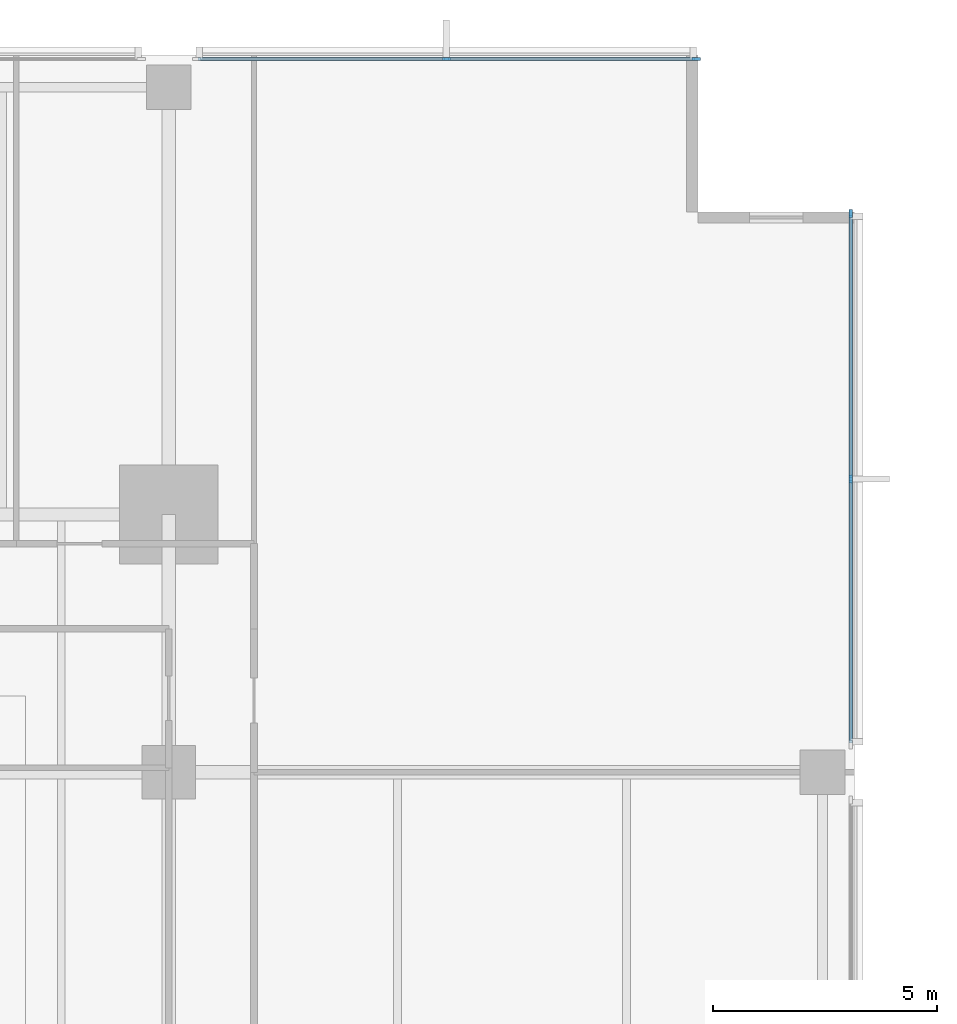
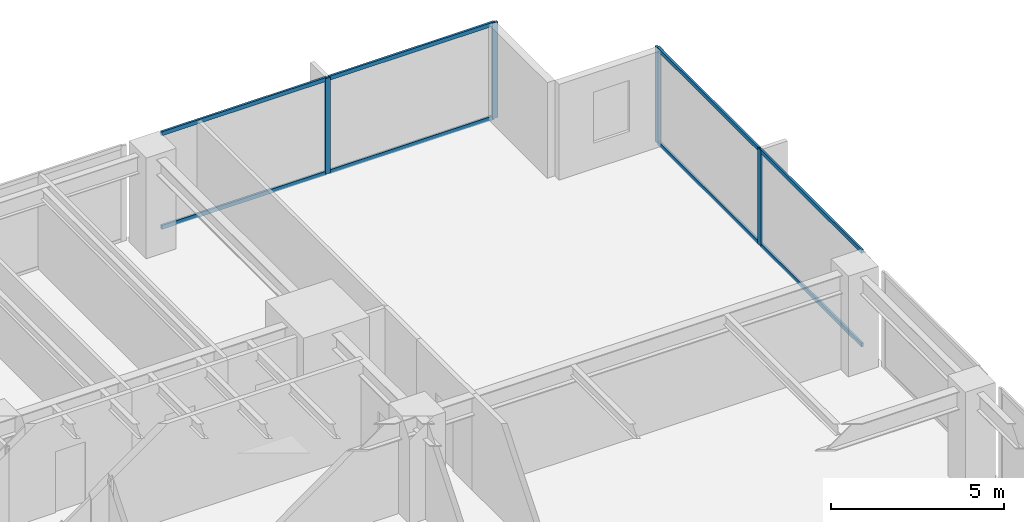
# One storey, part 6 of 15: 12 members, 2 elements without a shape of their own.
"""IFC4 building model written with IfcOpenShell, lengths in metres."""

from ifc_helpers import new_model, si_unit, direction, frame, origin, origin_2d, place, context, subcontext, project, spatial, rectangle, extrude, material, layer, layer_set, material_profile, profile_set, type_object, element, aggregate, save


model = new_model("IFC4")

# Units and contexts
model_context = context("Model", 3, precision=1e-05, world=origin(), true_north=direction((0.0, 1.0)))
body_context = subcontext(model_context, "Body", "Model", "MODEL_VIEW")
ifc_project = project(units=[si_unit("LENGTHUNIT", "METRE"), si_unit("AREAUNIT", "SQUARE_METRE"), si_unit("VOLUMEUNIT", "CUBIC_METRE"), si_unit("PLANEANGLEUNIT", "RADIAN"), si_unit("MASSUNIT", "GRAM", prefix="KILO")], contexts=[model_context])

# Site, building, storey
site_placement = place(None, origin())
site = spatial("IfcSite", under=ifc_project, at=site_placement, CompositionType="ELEMENT")
building_placement = place(site_placement, origin())
building = spatial("IfcBuilding", under=site, at=building_placement, Name="Kinhvarn Gate Tower", CompositionType="ELEMENT")
storey_placement = place(building_placement, frame((0.0, 0.0, 50.449951171875)))
storey = spatial("IfcBuildingStorey", under=building, at=storey_placement, Name="L12", CompositionType="ELEMENT", Elevation=50.449951171875)

# Curtain wall, members
ifc_material = material(Name="Anodised aluminium AW-6063", Category="aluminium")
ifc_layer = layer(ifc_material, 0.179931640625)
ifc_layer_set = layer_set([ifc_layer], Name="Anodised aluminium AW-6063")
curtain_wall_type = type_object("IfcCurtainWallType", Name="CW-SYS-2", PredefinedType="NOTDEFINED", material=ifc_layer_set)
curtain_wall_1_placement = place(storey_placement, origin())
curtain_wall_1 = element("IfcCurtainWall", 1, at=curtain_wall_1_placement, inside=storey, type_object=curtain_wall_type, Name="Curtain Wall CW2 (L12)", PredefinedType="NOTDEFINED")
ifc_material_profile_1 = material_profile(ifc_material, rectangle(XDim=0.070068359375, YDim=0.179931640625, at=origin_2d()), Name="ALU 70x180")
ifc_profile_set_1 = profile_set([ifc_material_profile_1], Name="Anodised aluminium AW-6063")
member_type_1 = type_object("IfcMemberType", Name="CW-MUL-180", PredefinedType="MULLION", material=ifc_profile_set_1)
member_1_placement = place(storey_placement, frame((49.965087890625, 47.909912109375, 0.0), z_axis=(0.0, 0.0, 1.0), x_axis=(0.0, -1.0, 0.0)))
member_1 = element("IfcMember", 2, at=member_1_placement, type_object=member_type_1, Name="CW2 mullion 1", PredefinedType="MULLION", context=body_context, shape_type="SweptSolid", body=[
    extrude(rectangle(XDim=0.070068359375, YDim=0.179931640625, at=origin_2d()), origin(), (0.0, 0.0, 1.0), 3.3701171875),
])
member_2_placement = place(storey_placement, frame((44.389892578125, 47.909912109375, 0.0), z_axis=(0.0, 0.0, 1.0), x_axis=(0.0, -1.0, 0.0)))
member_2 = element("IfcMember", 3, at=member_2_placement, type_object=member_type_1, Name="CW2 mullion 2", PredefinedType="MULLION", context=body_context, shape_type="SweptSolid", body=[
    extrude(rectangle(XDim=0.070068359375, YDim=0.179931640625, at=origin_2d()), origin(), (0.0, 0.0, 1.0), 3.3701171875),
])

curtain_wall_2_placement = place(storey_placement, origin())
curtain_wall_2 = element("IfcCurtainWall", 4, at=curtain_wall_2_placement, inside=storey, type_object=curtain_wall_type, Name="Curtain Wall CW2 (L12)", PredefinedType="NOTDEFINED")
member_3_placement = place(storey_placement, frame((53.409912109375, 38.5400390625, 0.0), z_axis=(0.0, 0.0, 1.0), x_axis=(-1.0, 0.0, 0.0)))
member_3 = element("IfcMember", 5, at=member_3_placement, type_object=member_type_1, Name="CW2 mullion 2", PredefinedType="MULLION", context=body_context, shape_type="SweptSolid", body=[
    extrude(rectangle(XDim=0.070068359375, YDim=0.179931640625, at=origin_2d()), origin(), (0.0, 0.0, 1.0), 3.3701171875),
])
member_4_placement = place(storey_placement, frame((53.409912109375, 44.465087890625, 0.0), z_axis=(0.0, 0.0, 1.0), x_axis=(-1.0, 0.0, 0.0)))
member_4 = element("IfcMember", 6, at=member_4_placement, type_object=member_type_1, Name="CW2 mullion 3", PredefinedType="MULLION", context=body_context, shape_type="SweptSolid", body=[
    extrude(rectangle(XDim=0.070068359375, YDim=0.179931640625, at=origin_2d()), origin(), (0.0, 0.0, 1.0), 3.3701171875),
])

# Member
ifc_material_profile_2 = material_profile(ifc_material, rectangle(XDim=0.070068359375, YDim=0.139892578125, at=origin_2d()), Name="ALU 70x140")
ifc_profile_set_2 = profile_set([ifc_material_profile_2], Name="Anodised aluminium AW-6063")
member_type_2 = type_object("IfcMemberType", Name="CW-TRN-140", PredefinedType="USERDEFINED", material=ifc_profile_set_2)
member_5_placement = place(storey_placement, frame((49.929931640625, 47.909912109375, 0.03515625), z_axis=(-1.0, 0.0, 0.0), x_axis=(0.0, -1.0, 0.0)))
member_5 = element("IfcMember", 7, at=member_5_placement, type_object=member_type_2, Name="CW2 transom 1.1", ObjectType="TRANSOM", PredefinedType="USERDEFINED", context=body_context, shape_type="SweptSolid", body=[
    extrude(rectangle(XDim=0.070068359375, YDim=0.139892578125, at=origin_2d()), origin(), (0.0, 0.0, 1.0), 5.5048828125),
])

member_6_placement = place(storey_placement, frame((49.929931640625, 47.909912109375, 3.3349609375), z_axis=(-1.0, 0.0, 0.0), x_axis=(0.0, -1.0, 0.0)))
member_6 = element("IfcMember", 8, at=member_6_placement, type_object=member_type_2, Name="CW2 transom 1.2", ObjectType="TRANSOM", PredefinedType="USERDEFINED", context=body_context, shape_type="SweptSolid", body=[
    extrude(rectangle(XDim=0.070068359375, YDim=0.139892578125, at=origin_2d()), origin(), (0.0, 0.0, 1.0), 5.5048828125),
])

member_7_placement = place(storey_placement, frame((44.35498046875, 47.909912109375, 0.03515625), z_axis=(-1.0, 0.0, 0.0), x_axis=(0.0, -1.0, 0.0)))
member_7 = element("IfcMember", 9, at=member_7_placement, type_object=member_type_2, Name="CW2 transom 2.1", ObjectType="TRANSOM", PredefinedType="USERDEFINED", context=body_context, shape_type="SweptSolid", body=[
    extrude(rectangle(XDim=0.070068359375, YDim=0.139892578125, at=origin_2d()), origin(), (0.0, 0.0, 1.0), 5.5048828125),
])

member_8_placement = place(storey_placement, frame((44.35498046875, 47.909912109375, 3.3349609375), z_axis=(-1.0, 0.0, 0.0), x_axis=(0.0, -1.0, 0.0)))
member_8 = element("IfcMember", 10, at=member_8_placement, type_object=member_type_2, Name="CW2 transom 2.2", ObjectType="TRANSOM", PredefinedType="USERDEFINED", context=body_context, shape_type="SweptSolid", body=[
    extrude(rectangle(XDim=0.070068359375, YDim=0.139892578125, at=origin_2d()), origin(), (0.0, 0.0, 1.0), 5.5048828125),
])

aggregate(curtain_wall_1, [member_1, member_2, member_5, member_6, member_7, member_8])

member_9_placement = place(storey_placement, frame((53.409912109375, 32.64990234375, 0.03515625), z_axis=(0.0, 1.0, 0.0), x_axis=(-1.0, 0.0, 0.0)))
member_9 = element("IfcMember", 11, at=member_9_placement, type_object=member_type_2, Name="CW2 transom 1.1", ObjectType="TRANSOM", PredefinedType="USERDEFINED", context=body_context, shape_type="SweptSolid", body=[
    extrude(rectangle(XDim=0.070068359375, YDim=0.139892578125, at=origin_2d()), origin(), (0.0, 0.0, 1.0), 5.85498046875),
])

member_10_placement = place(storey_placement, frame((53.409912109375, 32.64990234375, 3.3349609375), z_axis=(0.0, 1.0, 0.0), x_axis=(-1.0, 0.0, 0.0)))
member_10 = element("IfcMember", 12, at=member_10_placement, type_object=member_type_2, Name="CW2 transom 1.2", ObjectType="TRANSOM", PredefinedType="USERDEFINED", context=body_context, shape_type="SweptSolid", body=[
    extrude(rectangle(XDim=0.070068359375, YDim=0.139892578125, at=origin_2d()), origin(), (0.0, 0.0, 1.0), 5.85498046875),
])

member_11_placement = place(storey_placement, frame((53.409912109375, 38.574951171875, 0.03515625), z_axis=(0.0, 1.0, 0.0), x_axis=(-1.0, 0.0, 0.0)))
member_11 = element("IfcMember", 13, at=member_11_placement, type_object=member_type_2, Name="CW2 transom 2.1", ObjectType="TRANSOM", PredefinedType="USERDEFINED", context=body_context, shape_type="SweptSolid", body=[
    extrude(rectangle(XDim=0.070068359375, YDim=0.139892578125, at=origin_2d()), origin(), (0.0, 0.0, 1.0), 5.85498046875),
])

member_12_placement = place(storey_placement, frame((53.409912109375, 38.574951171875, 3.3349609375), z_axis=(0.0, 1.0, 0.0), x_axis=(-1.0, 0.0, 0.0)))
member_12 = element("IfcMember", 14, at=member_12_placement, type_object=member_type_2, Name="CW2 transom 2.2", ObjectType="TRANSOM", PredefinedType="USERDEFINED", context=body_context, shape_type="SweptSolid", body=[
    extrude(rectangle(XDim=0.070068359375, YDim=0.139892578125, at=origin_2d()), origin(), (0.0, 0.0, 1.0), 5.85498046875),
])

aggregate(curtain_wall_2, [member_3, member_4, member_9, member_10, member_11, member_12])

save(model, "model.ifc")
